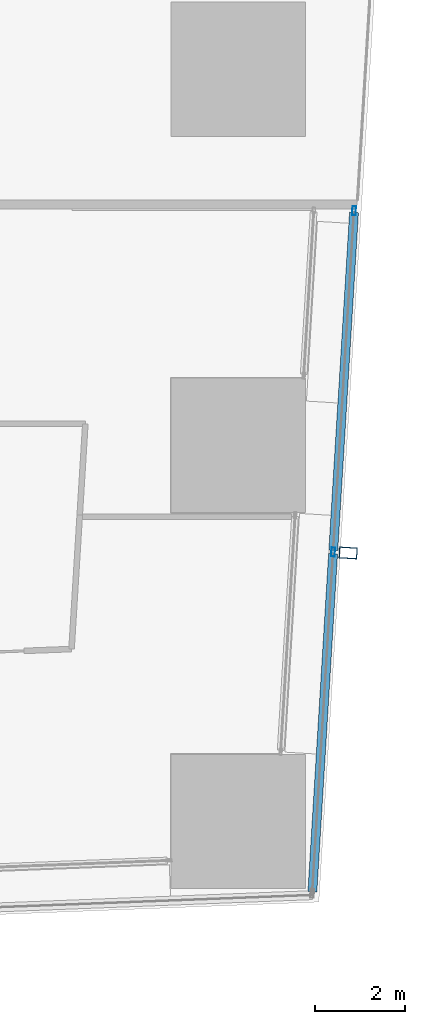
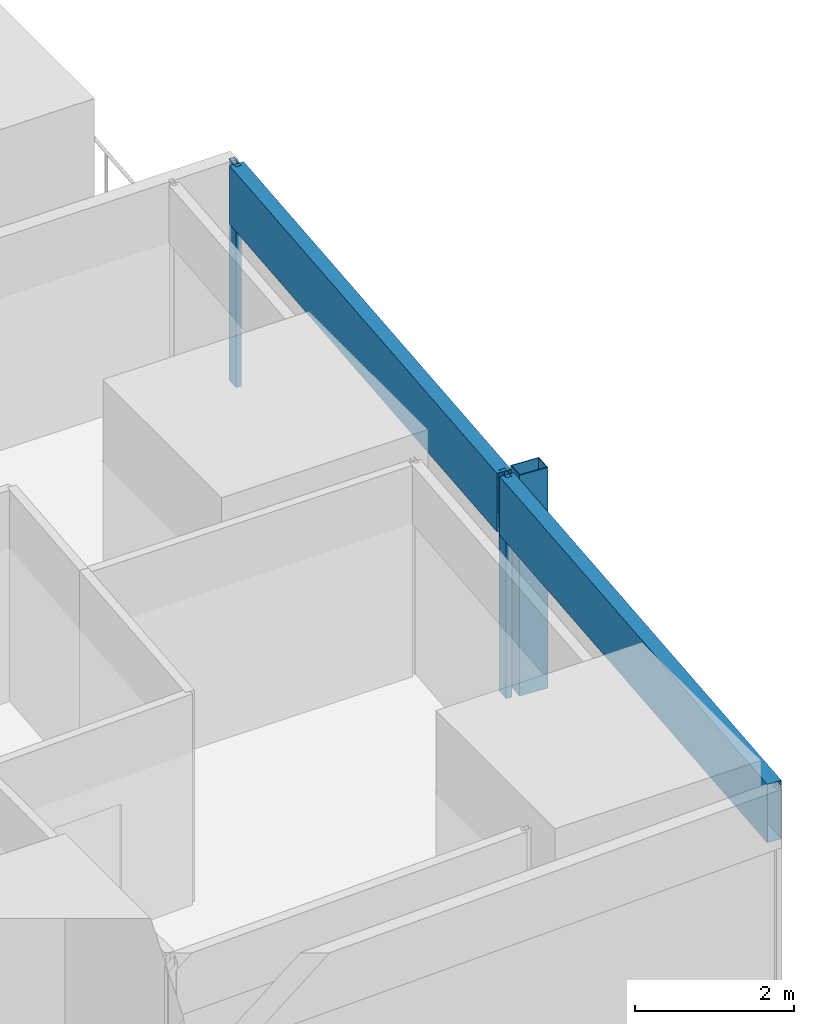
# One storey, part 23 of 38: 5 members, 1 element without a shape of its own.
"""IFC4 building model written with IfcOpenShell, lengths in metres."""

from ifc_helpers import new_model, si_unit, direction, frame, origin, origin_2d, place, context, subcontext, project, spatial, hollow_rectangle, extrude, material, material_profile, profile_set, type_object, element, aggregate, save


model = new_model("IFC4")

# Units and contexts
model_context = context("Model", 3, precision=1e-05, world=origin(), true_north=direction((0.0, 1.0)))
body_context = subcontext(model_context, "Body", "Model", "MODEL_VIEW")
ifc_project = project(units=[si_unit("LENGTHUNIT", "METRE"), si_unit("AREAUNIT", "SQUARE_METRE"), si_unit("VOLUMEUNIT", "CUBIC_METRE"), si_unit("PLANEANGLEUNIT", "RADIAN"), si_unit("MASSUNIT", "GRAM", prefix="KILO")], contexts=[model_context])

# Site, building, storey
site_placement = place(None, origin())
site = spatial("IfcSite", under=ifc_project, at=site_placement, CompositionType="ELEMENT")
building_placement = place(site_placement, origin())
building = spatial("IfcBuilding", under=site, at=building_placement, Name="Rekha Terrace Tower", CompositionType="ELEMENT")
storey_placement = place(building_placement, frame((0.0, 0.0, 159.050048828125)))
storey = spatial("IfcBuildingStorey", under=building, at=storey_placement, Name="L40", CompositionType="ELEMENT", Elevation=159.050048828125)

# Curtain wall, members
ifc_material_1 = material(Name="Aluminium framing", Category="aluminium")
curtain_wall_type = type_object("IfcCurtainWallType", Name="CW2 double skin outer glazing", PredefinedType="USERDEFINED", material=ifc_material_1)
curtain_wall_placement = place(storey_placement, origin())
curtain_wall = element("IfcCurtainWall", 1, at=curtain_wall_placement, inside=storey, type_object=curtain_wall_type, Name="CW2 double skin outer glazing", ObjectType="DOUBLE SKIN OUTER GLAZING", PredefinedType="USERDEFINED")
ifc_material_2 = material(Name="Steel S355 with fluorocarbon finish", Category="steel")
ifc_material_profile_1 = material_profile(ifc_material_2, hollow_rectangle(XDim=0.25, YDim=0.39990234375, WallThickness=0.012451171875, at=origin_2d()), Name="RHS400x250x12.5")
ifc_profile_set_1 = profile_set([ifc_material_profile_1], Name="Steel S355 with fluorocarbon finish")
member_type_1 = type_object("IfcMemberType", Name="BL1 facade blade RHS 400 x 250", PredefinedType="USERDEFINED", material=ifc_profile_set_1)
member_1_placement = place(storey_placement, frame((69.653076171875, 22.795654296875, 0.0), z_axis=(0.0, 0.0, 1.0), x_axis=(0.061160031881, 0.998127973008, 0.0)))
member_1 = element("IfcMember", 2, at=member_1_placement, type_object=member_type_1, Name="Facade blade", ObjectType="FACADE BLADE", PredefinedType="USERDEFINED", context=body_context, shape_type="SweptSolid", body=[
    extrude(hollow_rectangle(XDim=0.25, YDim=0.39990234375, WallThickness=0.012451171875, at=origin_2d()), origin(), (0.0, 0.0, 1.0), 3.39990234375),
])
ifc_material_3 = material(Name="Aluminium mullion section", Category="aluminium")
ifc_material_profile_2 = material_profile(ifc_material_3, hollow_rectangle(XDim=0.080078125, YDim=0.199951171875, WallThickness=0.00390625, at=origin_2d()), Name="AL RHS 80x200")
ifc_profile_set_2 = profile_set([ifc_material_profile_2], Name="Aluminium mullion section")
member_type_2 = type_object("IfcMemberType", Name="CW2 mullion RHS 80 x 200", PredefinedType="MULLION", material=ifc_profile_set_2)
member_2_placement = place(storey_placement, frame((69.318603515625, 22.816162109375, 0.0), z_axis=(0.0, 0.0, 1.0), x_axis=(-0.998127987023, 0.061159803148, 0.0)))
member_2 = element("IfcMember", 3, at=member_2_placement, type_object=member_type_2, Name="CW2 mullion 2", PredefinedType="MULLION", context=body_context, shape_type="SweptSolid", body=[
    extrude(hollow_rectangle(XDim=0.080078125, YDim=0.199951171875, WallThickness=0.00390625, at=origin_2d()), origin(), (0.0, 0.0, 1.0), 3.39990234375),
])
member_3_placement = place(storey_placement, frame((69.78564453125, 30.43798828125, 0.0), z_axis=(0.0, 0.0, 1.0), x_axis=(-0.998127987023, 0.061159803148, 0.0)))
member_3 = element("IfcMember", 4, at=member_3_placement, type_object=member_type_2, Name="CW2 mullion 3", PredefinedType="MULLION", context=body_context, shape_type="SweptSolid", body=[
    extrude(hollow_rectangle(XDim=0.080078125, YDim=0.199951171875, WallThickness=0.00390625, at=origin_2d()), origin(), (0.0, 0.0, 1.0), 3.39990234375),
])
ifc_material_4 = material(Name="Insulated aluminium spandrel box", Category="aluminium")
ifc_material_profile_3 = material_profile(ifc_material_4, hollow_rectangle(XDim=0.199951171875, YDim=0.89990234375, WallThickness=0.0029296875, at=origin_2d()), Name="AL SPANDREL BOX 200x900")
ifc_profile_set_3 = profile_set([ifc_material_profile_3], Name="Insulated aluminium spandrel box")
member_type_3 = type_object("IfcMemberType", Name="CW2 spandrel transom 200 x 900", PredefinedType="USERDEFINED", material=ifc_profile_set_3)
member_4_placement = place(storey_placement, frame((68.85400390625, 15.234130859375, 2.949951171875), z_axis=(0.06116327453, 0.99812777431, 0.0), x_axis=(-0.99812777431, 0.06116327453, 0.0)))
member_4 = element("IfcMember", 5, at=member_4_placement, type_object=member_type_3, Name="CW2 spandrel transom 1", ObjectType="TRANSOM", PredefinedType="USERDEFINED", context=body_context, shape_type="SweptSolid", body=[
    extrude(hollow_rectangle(XDim=0.199951171875, YDim=0.89990234375, WallThickness=0.0029296875, at=origin_2d()), origin(), (0.0, 0.0, 1.0), 7.55615234375),
])
member_5_placement = place(storey_placement, frame((69.321044921875, 22.85595703125, 2.949951171875), z_axis=(0.061161302093, 0.998127895175, 0.0), x_axis=(-0.998127895175, 0.061161302093, 0.0)))
member_5 = element("IfcMember", 6, at=member_5_placement, type_object=member_type_3, Name="CW2 spandrel transom 2", ObjectType="TRANSOM", PredefinedType="USERDEFINED", context=body_context, shape_type="SweptSolid", body=[
    extrude(hollow_rectangle(XDim=0.199951171875, YDim=0.89990234375, WallThickness=0.0029296875, at=origin_2d()), origin(), (0.0, 0.0, 1.0), 7.556396484375),
])
aggregate(curtain_wall, [member_2, member_3, member_4, member_5, member_1])

save(model, "model.ifc")
